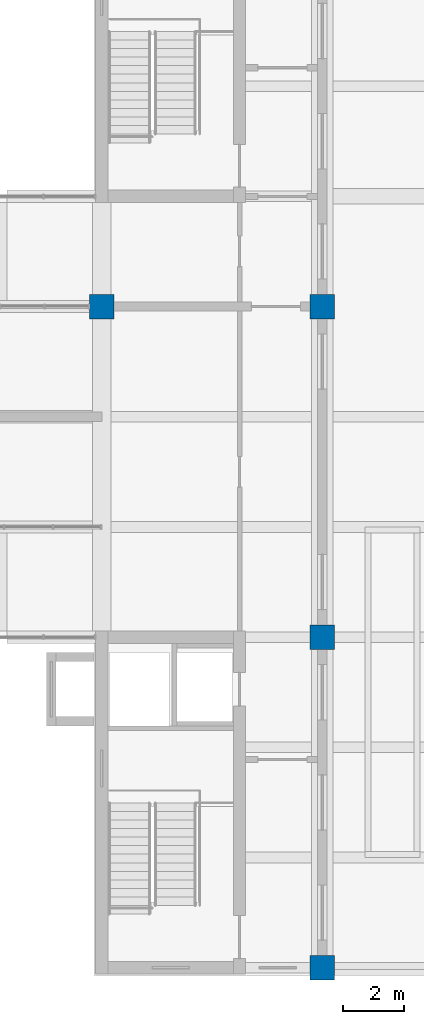
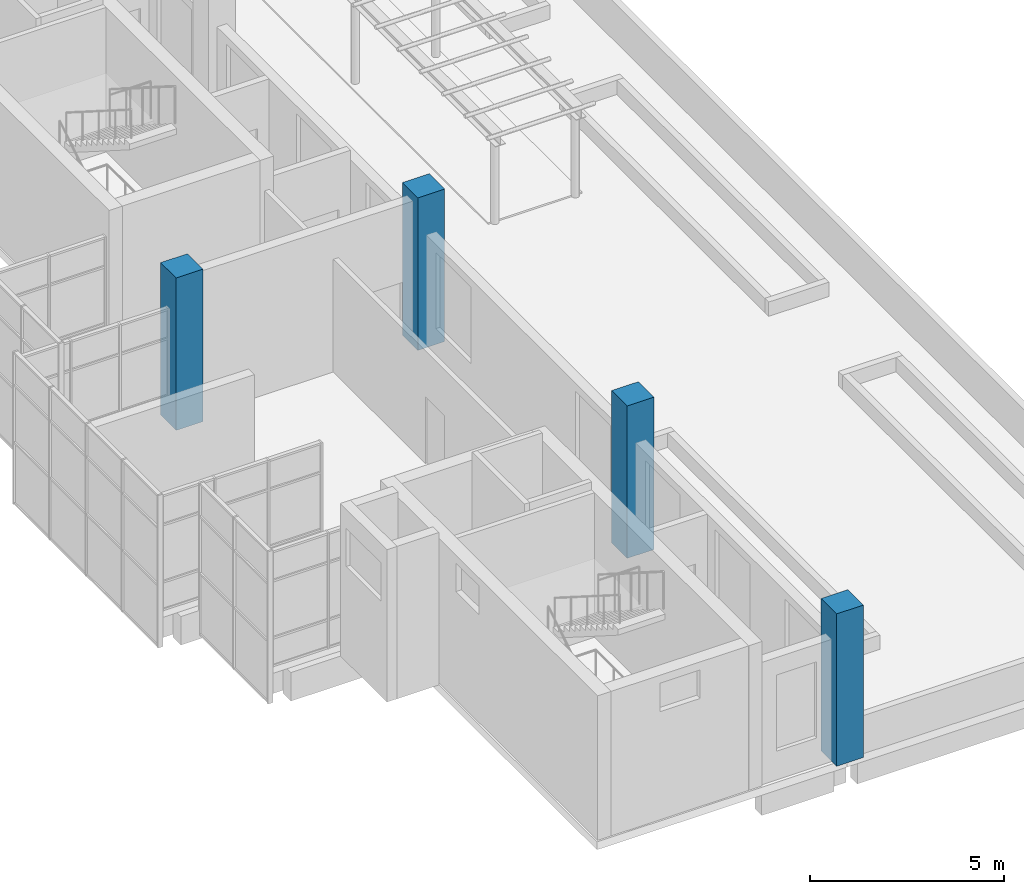
# One storey, part 1 of 16: 4 columns.
"""IFC4 building model written with IfcOpenShell, lengths in metres."""

from ifc_helpers import new_model, si_unit, direction, frame, origin, origin_2d, place, context, subcontext, project, spatial, rectangle, extrude, material, material_profile, profile_set, type_object, element, save


model = new_model("IFC4")

# Units and contexts
model_context = context("Model", 3, precision=1e-05, world=origin(), true_north=direction((0.0, 1.0)))
body_context = subcontext(model_context, "Body", "Model", "MODEL_VIEW")
ifc_project = project(units=[si_unit("LENGTHUNIT", "METRE"), si_unit("AREAUNIT", "SQUARE_METRE"), si_unit("VOLUMEUNIT", "CUBIC_METRE"), si_unit("PLANEANGLEUNIT", "RADIAN"), si_unit("MASSUNIT", "GRAM", prefix="KILO")], contexts=[model_context])

# Site, building, storey
site_placement = place(None, origin())
site = spatial("IfcSite", under=ifc_project, at=site_placement, CompositionType="ELEMENT")
building_placement = place(site_placement, origin())
building = spatial("IfcBuilding", under=site, at=building_placement, Name="Basin Gate Institute", CompositionType="ELEMENT")
storey_placement = place(building_placement, frame((0.0, 0.0, 65.39990234375)))
storey = spatial("IfcBuildingStorey", under=building, at=storey_placement, Name="L13", CompositionType="ELEMENT", Elevation=65.39990234375)

# Columns
ifc_material = material(Name="Concrete 50 MPa", Category="concrete")
ifc_material_profile = material_profile(ifc_material, rectangle(XDim=0.800048828125, YDim=0.800048828125, at=origin_2d()), Name="Column C4 800 x 800")
ifc_profile_set = profile_set([ifc_material_profile], Name="Concrete 50 MPa")
column_type = type_object("IfcColumnType", Name="Column C4 R120", PredefinedType="COLUMN", material=ifc_profile_set)
for number, where, z_axis, x_axis, name in (
    (1, (61.199951171875, 56.699951171875, 0.0), (0.0, 0.0, 1.0), (1.0, 0.0, 0.0), "COL/L13/4C"),
    (2, (68.39990234375, 35.10009765625, 0.0), (0.0, 0.0, 1.0), (1.0, 0.0, 0.0), "COL/L13/5A"),
    (3, (68.39990234375, 45.89990234375, 0.0), (0.0, 0.0, 1.0), (1.0, 0.0, 0.0), "COL/L13/5B"),
    (4, (68.39990234375, 56.699951171875, 0.0), (0.0, 0.0, 1.0), (1.0, 0.0, 0.0), "COL/L13/5C"),
):
    element("IfcColumn", number, at=place(storey_placement, frame(where, z_axis=z_axis, x_axis=x_axis)), inside=storey, type_object=column_type, material=ifc_profile_set, Name=name, PredefinedType="COLUMN", context=body_context, shape_type="SweptSolid", body=[
        extrude(rectangle(XDim=0.800048828125, YDim=0.800048828125, at=origin_2d()), origin(), (0.0, 0.0, 1.0), 4.800048828125),
    ])

save(model, "model.ifc")
